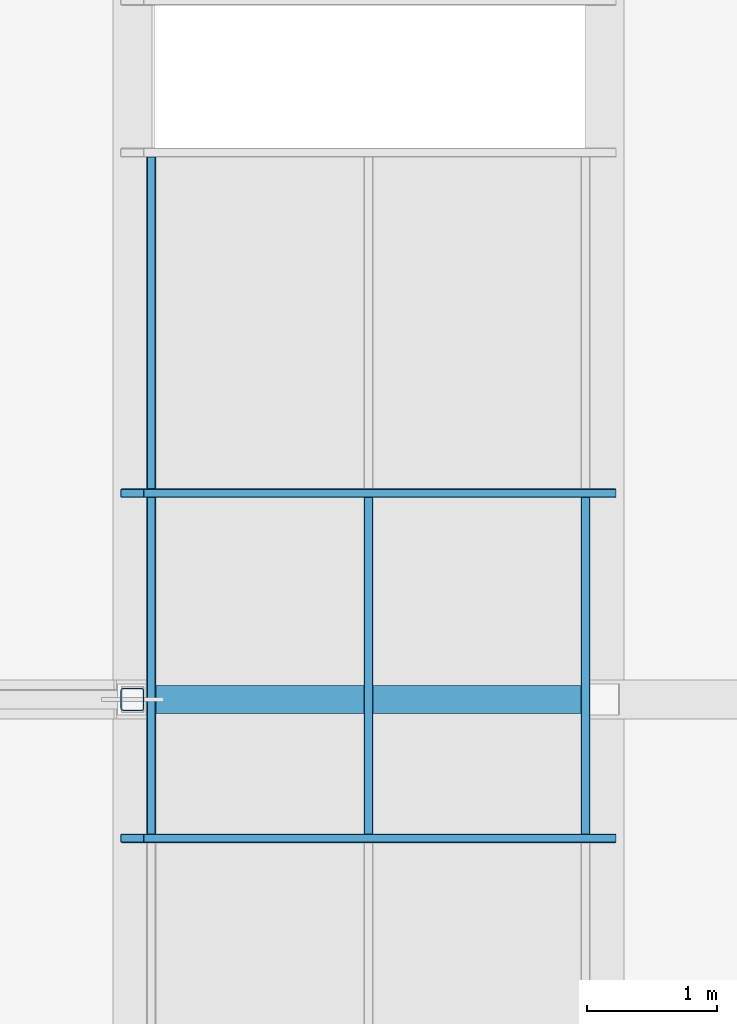
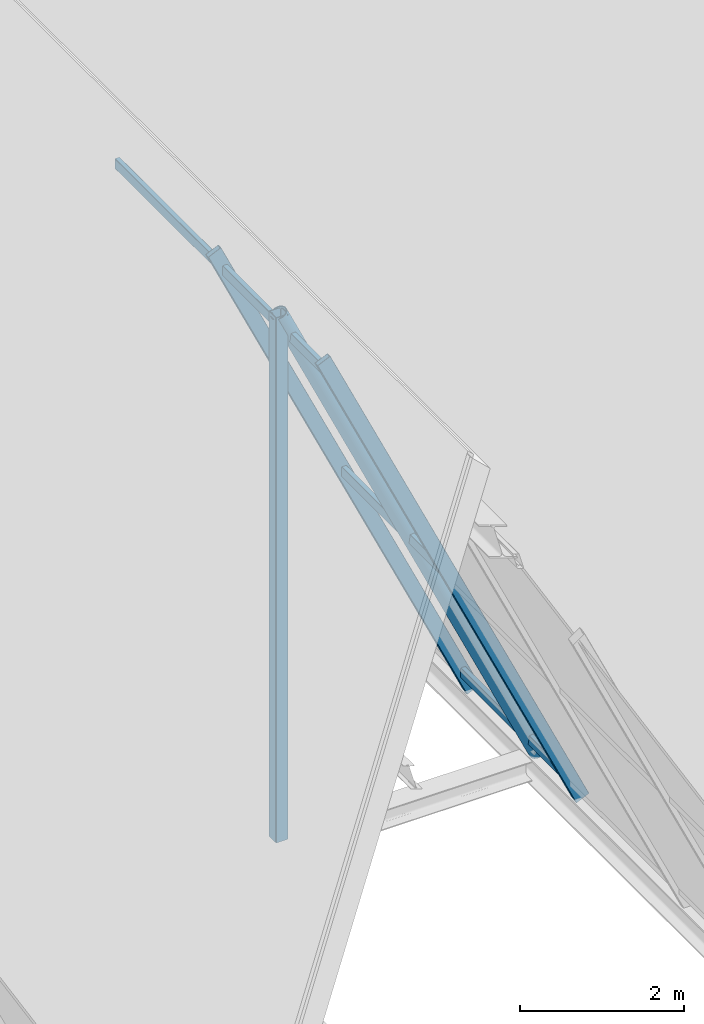
# One storey, part 45 of 99: 8 members, 1 element without a shape of its own.
"""IFC4 building model written with IfcOpenShell, lengths in metres."""

from ifc_helpers import new_model, si_unit, direction, frame, origin, origin_2d, place, context, subcontext, project, spatial, hollow_rectangle, hollow_circle, extrude, material, material_profile, profile_set, type_object, element, aggregate, save


model = new_model("IFC4")

# Units and contexts
model_context = context("Model", 3, precision=1e-05, world=origin(), true_north=direction((0.0, 1.0)))
body_context = subcontext(model_context, "Body", "Model", "MODEL_VIEW")
ifc_project = project(units=[si_unit("LENGTHUNIT", "METRE"), si_unit("AREAUNIT", "SQUARE_METRE"), si_unit("VOLUMEUNIT", "CUBIC_METRE"), si_unit("PLANEANGLEUNIT", "RADIAN"), si_unit("MASSUNIT", "GRAM", prefix="KILO")], contexts=[model_context])

# Site, building, storey
site_placement = place(None, origin())
site = spatial("IfcSite", under=ifc_project, at=site_placement, CompositionType="ELEMENT")
building_placement = place(site_placement, origin())
building = spatial("IfcBuilding", under=site, at=building_placement, Name="Bramveld Media Centre", CompositionType="ELEMENT")
storey_placement = place(building_placement, frame((0.0, 0.0, 13.800048828125)))
storey = spatial("IfcBuildingStorey", under=building, at=storey_placement, Name="L03", CompositionType="ELEMENT", Elevation=13.800048828125)

# Curtain wall, members
ifc_material_1 = material(Name="Thermally broken anodized bronze aluminium unitized curtain wall with solar-control triple glazing", Category="aluminium")
curtain_wall_type = type_object("IfcCurtainWallType", Name="CW-SAW-13300x8606", PredefinedType="NOTDEFINED", material=ifc_material_1)
curtain_wall_placement = place(storey_placement, origin())
curtain_wall = element("IfcCurtainWall", 1, at=curtain_wall_placement, inside=storey, type_object=curtain_wall_type, Name="V1 sawtooth north-light clerestory B4-S1", PredefinedType="NOTDEFINED")
ifc_material_2 = material(Name="Thermally broken anodized bronze aluminium EN AW-6063 T6 curtain-wall framing", Category="aluminium")
ifc_material_profile_1 = material_profile(ifc_material_2, hollow_rectangle(XDim=0.070068359375, YDim=0.199951171875, WallThickness=0.00439453125, InnerFilletRadius=0.00439453125, OuterFilletRadius=0.009033203125, at=origin_2d()), Name="AL-MULL 70x200")
ifc_profile_set_1 = profile_set([ifc_material_profile_1], Name="Thermally broken anodized bronze aluminium EN AW-6063 T6 curtain-wall framing")
member_type_1 = type_object("IfcMemberType", Name="CW-MULL-SLP", PredefinedType="MULLION", material=ifc_profile_set_1)
member_1_placement = place(storey_placement, frame((159.4287109375, 8.530029296875, -0.02001953125), z_axis=(-0.423980334249, 0.0, 0.905671395248), x_axis=(0.0, -1.0, 0.0)))
member_1 = element("IfcMember", 2, at=member_1_placement, type_object=member_type_1, Name="CW-SA-13386 sloped mullion 4", PredefinedType="MULLION", context=body_context, shape_type="SweptSolid", body=[
    extrude(hollow_rectangle(XDim=0.070068359375, YDim=0.199951171875, WallThickness=0.00439453125, InnerFilletRadius=0.00439453125, OuterFilletRadius=0.009033203125, at=origin_2d()), origin(), (0.0, 0.0, 1.0), 8.579345703125),
])
member_2_placement = place(storey_placement, frame((159.4287109375, 11.18994140625, -0.02001953125), z_axis=(-0.423980334249, 0.0, 0.905671395248), x_axis=(0.0, -1.0, 0.0)))
member_2 = element("IfcMember", 3, at=member_2_placement, type_object=member_type_1, Name="CW-SA-13386 sloped mullion 5", PredefinedType="MULLION", context=body_context, shape_type="SweptSolid", body=[
    extrude(hollow_rectangle(XDim=0.070068359375, YDim=0.199951171875, WallThickness=0.00439453125, InnerFilletRadius=0.00439453125, OuterFilletRadius=0.009033203125, at=origin_2d()), origin(), (0.0, 0.0, 1.0), 8.579345703125),
])
ifc_material_3 = material(Name="Thermally broken anodized bronze aluminium EN AW-6063 T6 curtain-wall framing", Category="aluminium")
ifc_material_profile_2 = material_profile(ifc_material_3, hollow_rectangle(XDim=0.070068359375, YDim=0.14990234375, WallThickness=0.00390625, InnerFilletRadius=0.00390625, OuterFilletRadius=0.008056640625, at=origin_2d()), Name="AL-TRAN 70x150")
ifc_profile_set_2 = profile_set([ifc_material_profile_2], Name="Thermally broken anodized bronze aluminium EN AW-6063 T6 curtain-wall framing")
member_type_2 = type_object("IfcMemberType", Name="CW-TRAN-SLP", PredefinedType="USERDEFINED", material=ifc_profile_set_2)
member_3_placement = place(storey_placement, frame((159.283203125, 8.56494140625, 0.290771484375), z_axis=(0.0, 1.0, 0.0), x_axis=(-1.0, 0.0, 0.0)))
member_3 = element("IfcMember", 4, at=member_3_placement, type_object=member_type_2, Name="CW-SA-13386 transom 4.1", ObjectType="TRANSOM", PredefinedType="USERDEFINED", context=body_context, shape_type="SweptSolid", body=[
    extrude(hollow_rectangle(XDim=0.070068359375, YDim=0.14990234375, WallThickness=0.00390625, InnerFilletRadius=0.00390625, OuterFilletRadius=0.008056640625, at=origin_2d()), origin(), (0.0, 0.0, 1.0), 2.590087890625),
])
member_4_placement = place(storey_placement, frame((157.60986328125, 8.56494140625, 3.864990234375), z_axis=(0.0, 1.0, 0.0), x_axis=(-1.0, 0.0, 0.0)))
member_4 = element("IfcMember", 5, at=member_4_placement, type_object=member_type_2, Name="CW-SA-13386 transom 4.2", ObjectType="TRANSOM", PredefinedType="USERDEFINED", context=body_context, shape_type="SweptSolid", body=[
    extrude(hollow_rectangle(XDim=0.070068359375, YDim=0.14990234375, WallThickness=0.00390625, InnerFilletRadius=0.00390625, OuterFilletRadius=0.008056640625, at=origin_2d()), origin(), (0.0, 0.0, 1.0), 2.590087890625),
])
member_5_placement = place(storey_placement, frame((155.936767578125, 8.56494140625, 7.439208984375), z_axis=(0.0, 1.0, 0.0), x_axis=(-1.0, 0.0, 0.0)))
member_5 = element("IfcMember", 6, at=member_5_placement, type_object=member_type_2, Name="CW-SA-13386 transom 4.3", ObjectType="TRANSOM", PredefinedType="USERDEFINED", context=body_context, shape_type="SweptSolid", body=[
    extrude(hollow_rectangle(XDim=0.070068359375, YDim=0.14990234375, WallThickness=0.00390625, InnerFilletRadius=0.00390625, OuterFilletRadius=0.008056640625, at=origin_2d()), origin(), (0.0, 0.0, 1.0), 2.590087890625),
])
member_6_placement = place(storey_placement, frame((155.936767578125, 11.22509765625, 7.439208984375), z_axis=(0.0, 1.0, 0.0), x_axis=(-1.0, 0.0, 0.0)))
member_6 = element("IfcMember", 7, at=member_6_placement, type_object=member_type_2, Name="CW-SA-13386 transom 5.3", ObjectType="TRANSOM", PredefinedType="USERDEFINED", context=body_context, shape_type="SweptSolid", body=[
    extrude(hollow_rectangle(XDim=0.070068359375, YDim=0.14990234375, WallThickness=0.00390625, InnerFilletRadius=0.00390625, OuterFilletRadius=0.008056640625, at=origin_2d()), origin(), (0.0, 0.0, 1.0), 2.554931640625),
])
aggregate(curtain_wall, [member_1, member_2, member_3, member_4, member_5, member_6])

# Members
ifc_material_4 = material(Name="Steel S355J2H", Category="steel")
ifc_material_profile_3 = material_profile(ifc_material_4, hollow_circle(Radius=0.109619140625, WallThickness=0.012451171875, at=origin_2d()), Name="CHS 219.1x12.5")
ifc_profile_set_3 = profile_set([ifc_material_profile_3], Name="Steel S355J2H")
member_type_3 = type_object("IfcMemberType", Name="MEM-BRACE-CHS219", PredefinedType="BRACE", material=ifc_profile_set_3)
member_7_placement = place(storey_placement, frame((159.4287109375, 9.60009765625, 0.0), z_axis=(-0.422640085544, 0.0, 0.90629761011), x_axis=(0.0, -1.0, 0.0)))
element("IfcMember", 8, at=member_7_placement, inside=storey, type_object=member_type_3, Name="TRUSS-V1-B04-F2 north-light strut", PredefinedType="BRACE", context=body_context, shape_type="SweptSolid", body=[
    extrude(hollow_circle(Radius=0.109619140625, WallThickness=0.012451171875, at=origin_2d()), origin(), (0.0, 0.0, 1.0), 8.6064453125),
])
ifc_material_5 = material(Name="Steel S355J2H", Category="steel")
ifc_material_profile_4 = material_profile(ifc_material_5, hollow_rectangle(XDim=0.179931640625, YDim=0.179931640625, WallThickness=0.010009765625, InnerFilletRadius=0.010009765625, OuterFilletRadius=0.02001953125, at=origin_2d()), Name="SHS 180x180x10")
ifc_profile_set_4 = profile_set([ifc_material_profile_4], Name="Steel S355J2H")
member_type_4 = type_object("IfcMemberType", Name="MEM-POST-SHS180", PredefinedType="POST", material=ifc_profile_set_4)
member_8_placement = place(storey_placement, frame((155.791259765625, 9.60009765625, 0.0), z_axis=(0.0, 0.0, 1.0), x_axis=(1.0, 0.0, 0.0)))
element("IfcMember", 9, at=member_8_placement, inside=storey, type_object=member_type_4, Name="TRUSS-V1-B04-F2 kingpost", PredefinedType="POST", context=body_context, shape_type="SweptSolid", body=[
    extrude(hollow_rectangle(XDim=0.179931640625, YDim=0.179931640625, WallThickness=0.010009765625, InnerFilletRadius=0.010009765625, OuterFilletRadius=0.02001953125, at=origin_2d()), origin(), (0.0, 0.0, 1.0), 7.800048828125),
])

save(model, "model.ifc")
